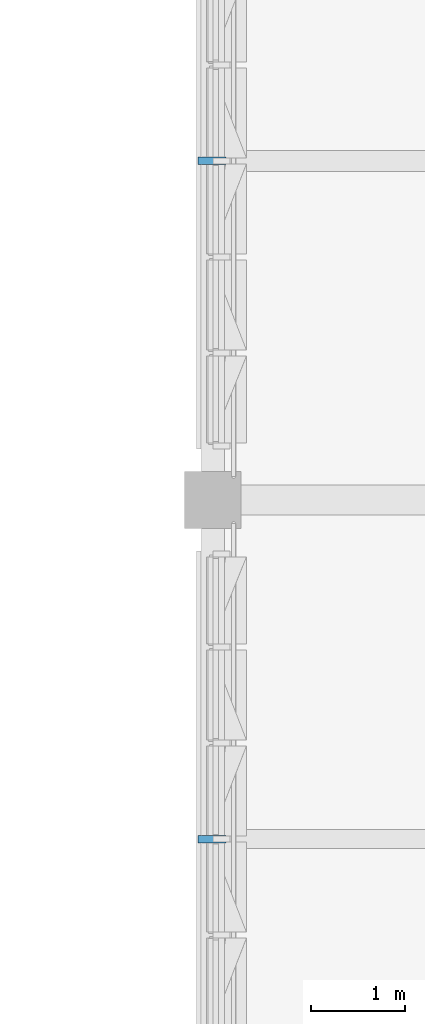
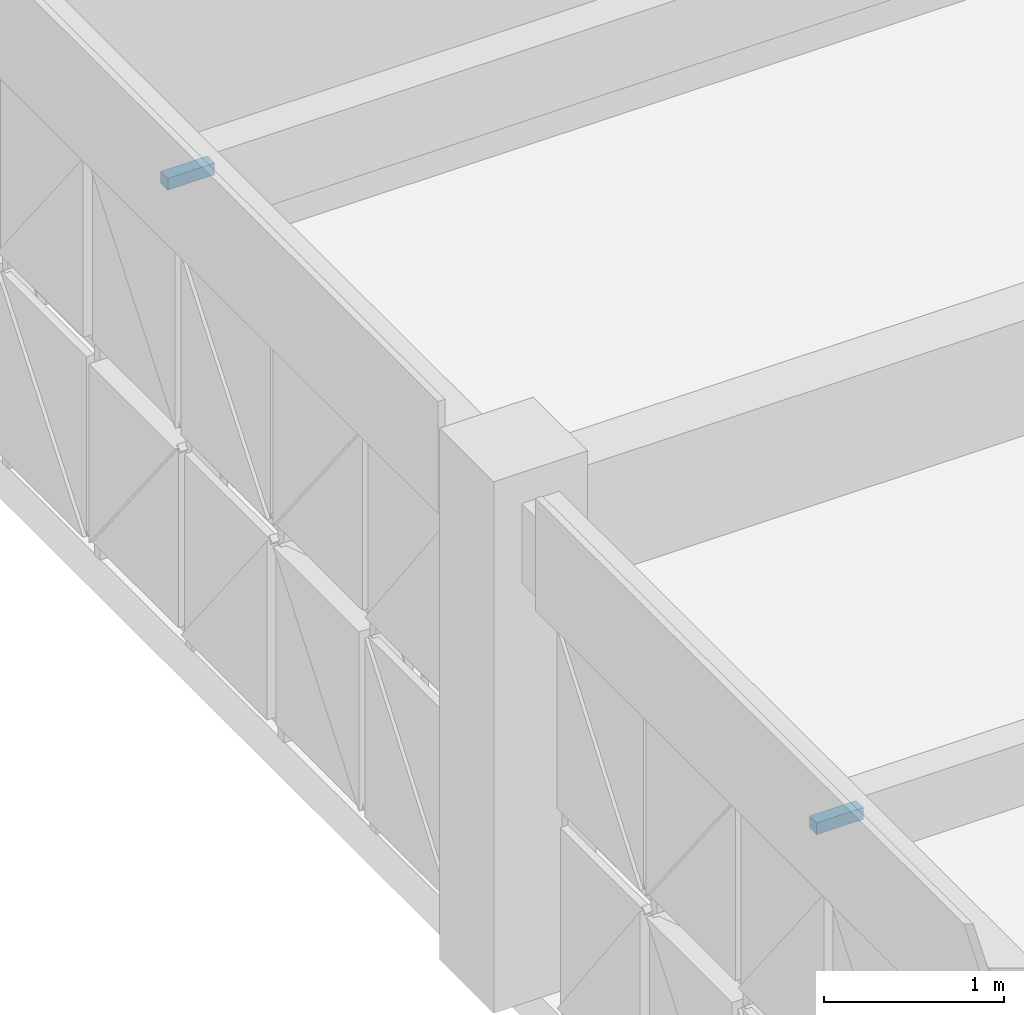
# One storey, part 63 of 85: 2 discrete accessories.
"""IFC4 building model written with IfcOpenShell, lengths in metres."""

from ifc_helpers import new_model, si_unit, direction, frame, origin, origin_2d, place, context, subcontext, project, spatial, rectangle, extrude, material, type_object, element, save


model = new_model("IFC4")

# Units and contexts
model_context = context("Model", 3, precision=1e-05, world=origin(), true_north=direction((0.0, 1.0)))
body_context = subcontext(model_context, "Body", "Model", "MODEL_VIEW")
ifc_project = project(units=[si_unit("LENGTHUNIT", "METRE"), si_unit("AREAUNIT", "SQUARE_METRE"), si_unit("VOLUMEUNIT", "CUBIC_METRE"), si_unit("PLANEANGLEUNIT", "RADIAN"), si_unit("MASSUNIT", "GRAM", prefix="KILO")], contexts=[model_context])

# Site, building, storey
site_placement = place(None, origin())
site = spatial("IfcSite", under=ifc_project, at=site_placement, CompositionType="ELEMENT")
building_placement = place(site_placement, origin())
building = spatial("IfcBuilding", under=site, at=building_placement, Name="Alvorim Cloister Faculty of Sciences", CompositionType="ELEMENT")
storey_placement = place(building_placement, frame((0.0, 0.0, 8.550048828125)))
storey = spatial("IfcBuildingStorey", under=building, at=storey_placement, Name="L02", CompositionType="ELEMENT", Elevation=8.550048828125)

# Discrete accessories
ifc_material = material(Name="Aluminium Alloy 6063-T6", Category="aluminium")
discrete_accessory_type = type_object("IfcDiscreteAccessoryType", Name="ACC-DIAG-BAR", PredefinedType="BRACKET", material=ifc_material)
for number, where, z_axis, x_axis, name in (
    (1, (64.93994140625, 18.0, 3.224853515625), (-1.0, 0.0, 0.0), (0.0, -1.0, 0.0), "Slab-Edge Fascia Tie Bracket ACC-01008"),
    (2, (64.93994140625, 25.199951171875, 3.224853515625), (-1.0, 0.0, 0.0), (0.0, -1.0, 0.0), "Slab-Edge Fascia Tie Bracket ACC-01021"),
):
    element("IfcDiscreteAccessory", number, at=place(storey_placement, frame(where, z_axis=z_axis, x_axis=x_axis)), inside=storey, type_object=discrete_accessory_type, Name=name, PredefinedType="BRACKET", context=body_context, shape_type="SweptSolid", body=[
        extrude(rectangle(XDim=0.080078125, YDim=0.080078125, at=origin_2d()), origin(), (0.0, 0.0, 1.0), 0.300048828125),
    ])

save(model, "model.ifc")
